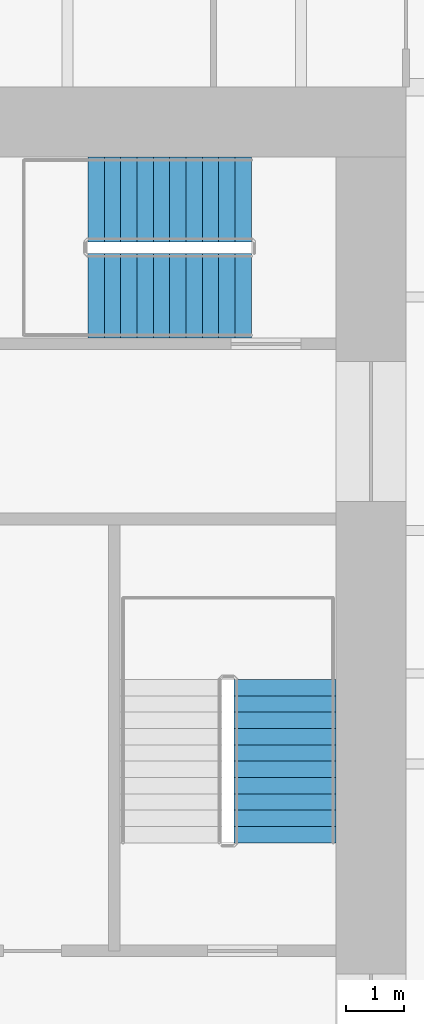
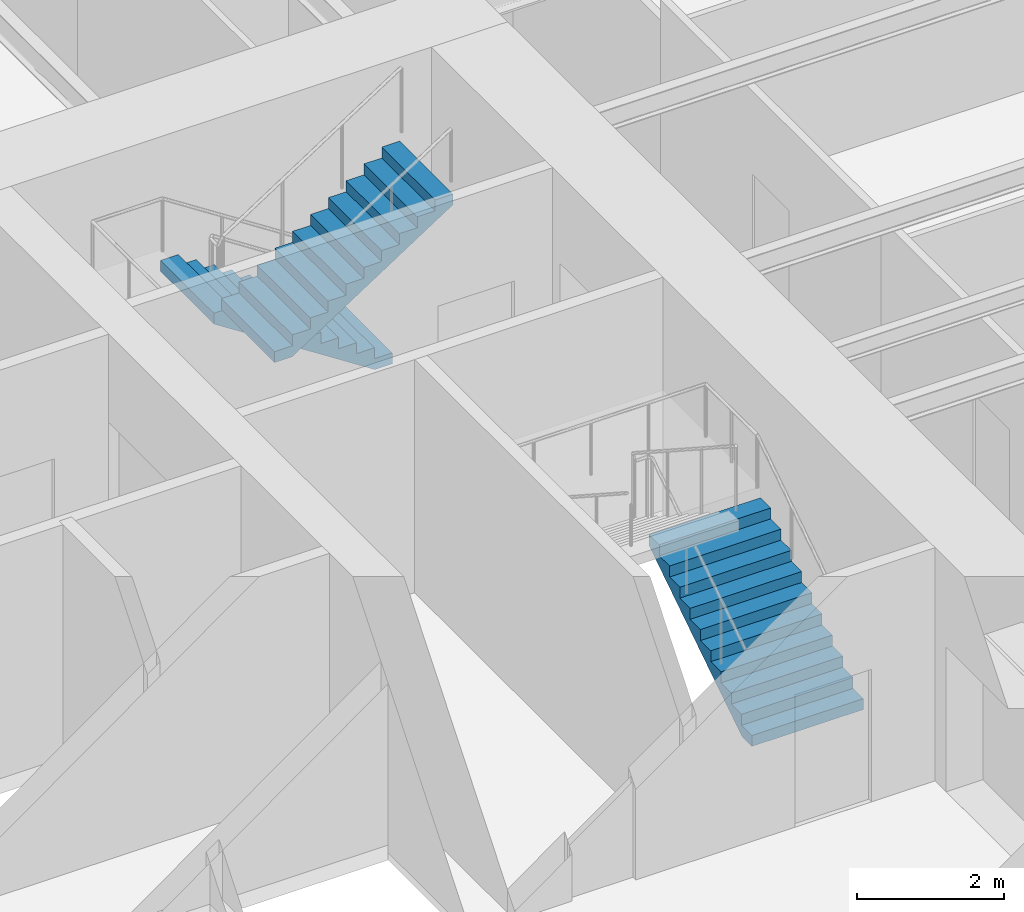
# One storey, part 12 of 13: 3 stair flights, 2 elements without a shape of their own.
"""IFC4 building model written with IfcOpenShell, lengths in metres."""

from ifc_helpers import new_model, si_unit, direction, frame, origin, place, context, subcontext, project, spatial, polyline, outline, extrude, material, type_object, element, aggregate, save


model = new_model("IFC4")

# Units and contexts
model_context = context("Model", 3, precision=1e-05, world=origin(), true_north=direction((0.0, 1.0)))
body_context = subcontext(model_context, "Body", "Model", "MODEL_VIEW")
ifc_project = project(units=[si_unit("LENGTHUNIT", "METRE"), si_unit("AREAUNIT", "SQUARE_METRE"), si_unit("VOLUMEUNIT", "CUBIC_METRE"), si_unit("PLANEANGLEUNIT", "RADIAN"), si_unit("MASSUNIT", "GRAM", prefix="KILO")], contexts=[model_context])

# Site, building, storey
site_placement = place(None, origin())
site = spatial("IfcSite", under=ifc_project, at=site_placement, CompositionType="ELEMENT")
building_placement = place(site_placement, origin())
building = spatial("IfcBuilding", under=site, at=building_placement, Name="Verdant Reach Tower", CompositionType="ELEMENT")
storey_placement = place(building_placement, frame((0.0, 0.0, 82.0)))
storey = spatial("IfcBuildingStorey", under=building, at=storey_placement, Name="L18", CompositionType="ELEMENT", Elevation=82.0)

# Stair, stair flight
ifc_material = material(Name="Concrete C40/50", Category="concrete")
stair_type = type_object("IfcStairType", Name="CO-STAIR", PredefinedType="HALF_TURN_STAIR", material=ifc_material)
stair_1_placement = place(storey_placement, origin())
stair_1 = element("IfcStair", 1, at=stair_1_placement, inside=storey, type_object=stair_type, Name="L18 Exit stair 2", PredefinedType="HALF_TURN_STAIR")
stair_flight_type = type_object("IfcStairFlightType", Name="CO-STAIR-FLIGHT", PredefinedType="STRAIGHT", material=ifc_material)
stair_flight_1_placement = place(storey_placement, frame((11.72509765625, 25.85009765625, 0.0), z_axis=(0.0, 0.0, 1.0), x_axis=(0.0, 1.0, 0.0)))
stair_flight_1 = element("IfcStairFlight", 2, at=stair_flight_1_placement, type_object=stair_flight_type, Name="ST-2 flight 1", NumberOfRisers=11, NumberOfTreads=10, PredefinedType="STRAIGHT", RiserHeight=0.181818182, TreadLength=0.28, context=body_context, shape_type="SweptSolid", body=[
    extrude(outline(polyline([(0.0, 0.0), (0.0, 0.181884765625), (0.280029296875, 0.181884765625), (0.280029296875, 0.363525390625), (0.56005859375, 0.363525390625), (0.56005859375, 0.54541015625), (0.840087890625, 0.54541015625), (0.840087890625, 0.727294921875), (1.1201171875, 0.727294921875), (1.1201171875, 0.9091796875), (1.39990234375, 0.9091796875), (1.39990234375, 1.0908203125), (1.679931640625, 1.0908203125), (1.679931640625, 1.272705078125), (1.9599609375, 1.272705078125), (1.9599609375, 1.45458984375), (2.239990234375, 1.45458984375), (2.239990234375, 1.636474609375), (2.52001953125, 1.636474609375), (2.52001953125, 1.818115234375), (2.800048828125, 1.818115234375), (2.800048828125, 2.0), (2.800048828125, 1.639404296875), (0.275146484375, 0.0), (0.0, 0.0)])), frame((0.0, 0.875, 0.0), z_axis=(0.0, -1.0, 0.0), x_axis=(1.0, 0.0, 0.0)), (0.0, 0.0, 1.0), 1.75),
])
aggregate(stair_1, [stair_flight_1])

# Stair, stair flights
stair_2_placement = place(storey_placement, origin())
stair_2 = element("IfcStair", 3, at=stair_2_placement, inside=storey, type_object=stair_type, Name="L18 Exit stair 3", PredefinedType="HALF_TURN_STAIR")
stair_flight_2_placement = place(storey_placement, frame((11.14990234375, 36.875, 0.0), z_axis=(0.0, 0.0, 1.0), x_axis=(-1.0, 0.0, 0.0)))
stair_flight_2 = element("IfcStairFlight", 4, at=stair_flight_2_placement, type_object=stair_flight_type, Name="ST-3 flight 1", NumberOfRisers=11, NumberOfTreads=10, PredefinedType="STRAIGHT", RiserHeight=0.181818182, TreadLength=0.28, context=body_context, shape_type="SweptSolid", body=[
    extrude(outline(polyline([(0.0, 0.0), (0.0, 0.181884765625), (0.280029296875, 0.181884765625), (0.280029296875, 0.363525390625), (0.56005859375, 0.363525390625), (0.56005859375, 0.54541015625), (0.840087890625, 0.54541015625), (0.840087890625, 0.727294921875), (1.1201171875, 0.727294921875), (1.1201171875, 0.9091796875), (1.39990234375, 0.9091796875), (1.39990234375, 1.0908203125), (1.679931640625, 1.0908203125), (1.679931640625, 1.272705078125), (1.9599609375, 1.272705078125), (1.9599609375, 1.45458984375), (2.239990234375, 1.45458984375), (2.239990234375, 1.636474609375), (2.52001953125, 1.636474609375), (2.52001953125, 1.818115234375), (2.800048828125, 1.818115234375), (2.800048828125, 2.0), (2.800048828125, 1.639404296875), (0.275146484375, 0.0), (0.0, 0.0)])), frame((0.0, 0.72509765625, 0.0), z_axis=(0.0, -1.0, 0.0), x_axis=(1.0, 0.0, 0.0)), (0.0, 0.0, 1.0), 1.449951171875),
])
stair_flight_3_placement = place(storey_placement, frame((8.35009765625, 35.22509765625, 2.0), z_axis=(0.0, 0.0, 1.0), x_axis=(1.0, 0.0, 0.0)))
stair_flight_3 = element("IfcStairFlight", 5, at=stair_flight_3_placement, type_object=stair_flight_type, Name="ST-3 flight 2", NumberOfRisers=11, NumberOfTreads=10, PredefinedType="STRAIGHT", RiserHeight=0.181818182, TreadLength=0.28, context=body_context, shape_type="SweptSolid", body=[
    extrude(outline(polyline([(0.0, 0.0), (0.0, 0.181884765625), (0.280029296875, 0.181884765625), (0.280029296875, 0.363525390625), (0.56005859375, 0.363525390625), (0.56005859375, 0.54541015625), (0.840087890625, 0.54541015625), (0.840087890625, 0.727294921875), (1.1201171875, 0.727294921875), (1.1201171875, 0.9091796875), (1.39990234375, 0.9091796875), (1.39990234375, 1.0908203125), (1.679931640625, 1.0908203125), (1.679931640625, 1.272705078125), (1.9599609375, 1.272705078125), (1.9599609375, 1.45458984375), (2.239990234375, 1.45458984375), (2.239990234375, 1.636474609375), (2.52001953125, 1.636474609375), (2.52001953125, 1.818115234375), (2.800048828125, 1.818115234375), (2.800048828125, 2.0), (2.800048828125, 1.639404296875), (0.275146484375, 0.0), (0.0, 0.0)])), frame((0.0, 0.72509765625, 0.0), z_axis=(0.0, -1.0, 0.0), x_axis=(1.0, 0.0, 0.0)), (0.0, 0.0, 1.0), 1.449951171875),
])
aggregate(stair_2, [stair_flight_2, stair_flight_3])

save(model, "model.ifc")
